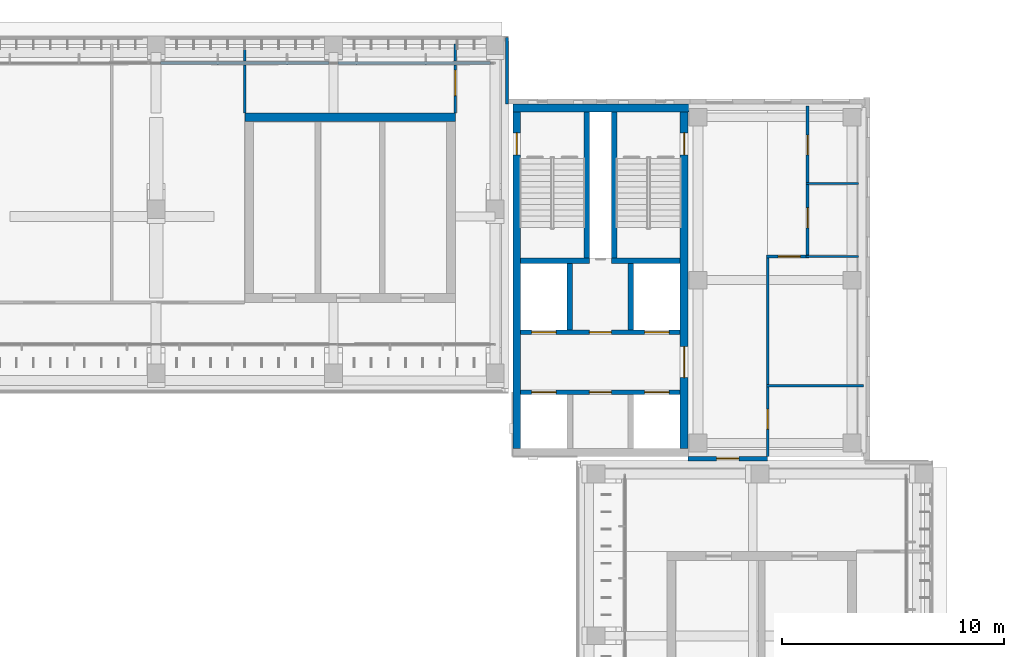
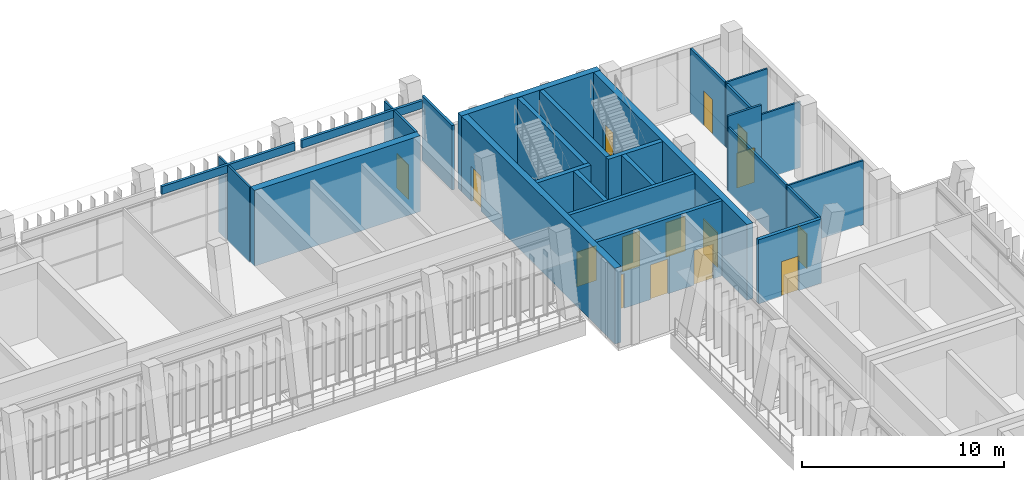
# One storey, part 67 of 89: 26 walls, 15 doors, 15 openings.
"""IFC4 building model written with IfcOpenShell, lengths in metres."""

from ifc_helpers import new_model, si_unit, direction, frame, frame_2d, origin, place, context, subcontext, project, spatial, rectangle, extrude, material, layer, layer_set, type_object, element, fill, save


model = new_model("IFC4")

# Units and contexts
model_context = context("Model", 3, precision=1e-05, world=origin(), true_north=direction((0.0, 1.0)))
body_context = subcontext(model_context, "Body", "Model", "MODEL_VIEW")
ifc_project = project(units=[si_unit("LENGTHUNIT", "METRE"), si_unit("AREAUNIT", "SQUARE_METRE"), si_unit("VOLUMEUNIT", "CUBIC_METRE"), si_unit("PLANEANGLEUNIT", "RADIAN"), si_unit("MASSUNIT", "GRAM", prefix="KILO")], contexts=[model_context])

# Site, building, storey
site_placement = place(None, origin())
site = spatial("IfcSite", under=ifc_project, at=site_placement, CompositionType="ELEMENT")
building_placement = place(site_placement, origin())
building = spatial("IfcBuilding", under=site, at=building_placement, Name="Lantern Court Media Centre", CompositionType="ELEMENT")
storey_placement = place(building_placement, frame((0.0, 0.0, 14.39990234375)))
storey = spatial("IfcBuildingStorey", under=building, at=storey_placement, Name="L03", CompositionType="ELEMENT", Elevation=14.39990234375)

# Wall, opening, door
ifc_material_1 = material(Name="Gypsum board partition")
ifc_layer_1 = layer(ifc_material_1, 0.125)
ifc_layer_set_1 = layer_set([ifc_layer_1], Name="Gypsum board partition")
wall_type_1 = type_object("IfcWallType", Name="Corridor partition 125", PredefinedType="PARTITIONING", material=ifc_layer_set_1)
wall_1_placement = place(storey_placement, frame((77.5, 111.60498046875, 0.0), z_axis=(0.0, 0.0, 1.0), x_axis=(0.0, 1.0, 0.0)))
wall_1 = element("IfcWall", 1, at=wall_1_placement, inside=storey, type_object=wall_type_1, Name="L03 partition 003", PredefinedType="PARTITIONING", context=body_context, shape_type="SweptSolid", body=[
    extrude(rectangle(XDim=2.1650390625, YDim=0.125, at=frame_2d((1.08251953125, 0.0))), origin(), (0.0, 0.0, 1.0), 4.56005859375),
])
opening_1_placement = place(wall_1_placement, frame((0.773681640625, 0.0, 0.0)))
opening_1 = element("IfcOpeningElement", 2, at=opening_1_placement, cuts=wall_1, Name="Opening L03-018", PredefinedType="OPENING", context=body_context, shape_type="SweptSolid", body=[
    extrude(rectangle(XDim=1.14990234375, YDim=2.10009765625, at=frame_2d((0.574951171875, 1.050048828125))), frame((0.0, 0.072509765625, 0.0), z_axis=(0.0, -1.0, 0.0), x_axis=(1.0, 0.0, 0.0)), (0.0, 0.0, 1.0), 0.14501953125),
])
ifc_material_2 = material(Name="Solid-core timber door leaf", Category="wood")
door_type_1 = type_object("IfcDoorType", Name="Single door 1150x2100", OperationType="NOTDEFINED", PredefinedType="DOOR", material=ifc_material_2)
door_1_placement = place(opening_1_placement, origin())
door_1 = element("IfcDoor", 3, at=door_1_placement, inside=storey, type_object=door_type_1, Name="L03 Production Office 02 door", OperationType="SINGLE_SWING_LEFT", OverallHeight=2.10009765625, OverallWidth=1.14990234375, PredefinedType="DOOR", context=body_context, shape_type="SweptSolid", body=[
    extrude(rectangle(XDim=1.14990234375, YDim=2.10009765625, at=frame_2d((0.574951171875, 1.050048828125))), frame((0.0, 0.02490234375, 0.0), z_axis=(0.0, -1.0, 0.0), x_axis=(1.0, 0.0, 0.0)), (0.0, 0.0, 1.0), 0.050048828125),
])
fill(opening_1, door_1)

# Wall
wall_2_placement = place(storey_placement, frame((77.5, 113.929931640625, 0.0), z_axis=(0.0, 0.0, 1.0), x_axis=(0.0, 1.0, 0.0)))
element("IfcWall", 4, at=wall_2_placement, inside=storey, type_object=wall_type_1, Name="L03 partition 004", PredefinedType="PARTITIONING", context=body_context, shape_type="SweptSolid", body=[
    extrude(rectangle(XDim=0.77001953125, YDim=0.125, at=frame_2d((0.385009765625, 0.0))), origin(), (0.0, 0.0, 1.0), 4.56005859375),
])

# Wall, opening, door
wall_3_placement = place(storey_placement, frame((91.60009765625, 96.10009765625, 0.0), z_axis=(0.0, 0.0, 1.0), x_axis=(0.0, 1.0, 0.0)))
wall_3 = element("IfcWall", 5, at=wall_3_placement, inside=storey, type_object=wall_type_1, Name="L03 partition 055", PredefinedType="PARTITIONING", context=body_context, shape_type="SweptSolid", body=[
    extrude(rectangle(XDim=8.957763671875, YDim=0.125, at=frame_2d((4.47900390625, 0.0))), origin(), (0.0, 0.0, 1.0), 3.880126953125),
])
opening_2_placement = place(wall_3_placement, frame((1.232666015625, 0.0, 0.0)))
opening_2 = element("IfcOpeningElement", 6, at=opening_2_placement, cuts=wall_3, Name="Opening L03-047", PredefinedType="OPENING", context=body_context, shape_type="SweptSolid", body=[
    extrude(rectangle(XDim=0.89990234375, YDim=2.10009765625, at=frame_2d((0.449951171875, 1.050048828125))), frame((0.0, 0.072509765625, 0.0), z_axis=(0.0, -1.0, 0.0), x_axis=(1.0, 0.0, 0.0)), (0.0, 0.0, 1.0), 0.14501953125),
])
door_type_2 = type_object("IfcDoorType", Name="Single door 900x2100", OperationType="NOTDEFINED", PredefinedType="DOOR", material=ifc_material_2)
door_2_placement = place(opening_2_placement, frame((0.89990234375, 0.0, 0.0), z_axis=(0.0, 0.0, 1.0), x_axis=(-1.0, 0.0, 0.0)))
door_2 = element("IfcDoor", 7, at=door_2_placement, inside=storey, type_object=door_type_2, Name="L03 Switchroom door", OperationType="SINGLE_SWING_RIGHT", OverallHeight=2.10009765625, OverallWidth=0.89990234375, PredefinedType="DOOR", context=body_context, shape_type="SweptSolid", body=[
    extrude(rectangle(XDim=0.89990234375, YDim=2.10009765625, at=frame_2d((0.449951171875, 1.050048828125))), frame((0.0, 0.02490234375, 0.0), z_axis=(0.0, -1.0, 0.0), x_axis=(1.0, 0.0, 0.0)), (0.0, 0.0, 1.0), 0.050048828125),
])
fill(opening_2, door_2)

# Wall, openings, doors
wall_4_placement = place(storey_placement, frame((93.39990234375, 105.182861328125, 0.0), z_axis=(0.0, 0.0, 1.0), x_axis=(0.0, 1.0, 0.0)))
wall_4 = element("IfcWall", 8, at=wall_4_placement, inside=storey, type_object=wall_type_1, Name="L03 partition 060", PredefinedType="PARTITIONING", context=body_context, shape_type="SweptSolid", body=[
    extrude(rectangle(XDim=6.737060546875, YDim=0.125, at=frame_2d((3.36865234375, 0.0))), origin(), (0.0, 0.0, 1.0), 3.880126953125),
])
opening_3_placement = place(wall_4_placement, frame((4.51611328125, 0.0, 0.0)))
opening_3 = element("IfcOpeningElement", 9, at=opening_3_placement, cuts=wall_4, Name="Opening L03-048", PredefinedType="OPENING", context=body_context, shape_type="SweptSolid", body=[
    extrude(rectangle(XDim=0.89990234375, YDim=2.10009765625, at=frame_2d((0.449951171875, 1.050048828125))), frame((0.0, 0.072509765625, 0.0), z_axis=(0.0, -1.0, 0.0), x_axis=(1.0, 0.0, 0.0)), (0.0, 0.0, 1.0), 0.14501953125),
])
opening_4_placement = place(wall_4_placement, frame((1.226318359375, 0.0, 0.0)))
opening_4 = element("IfcOpeningElement", 10, at=opening_4_placement, cuts=wall_4, Name="Opening L03-049", PredefinedType="OPENING", context=body_context, shape_type="SweptSolid", body=[
    extrude(rectangle(XDim=0.89990234375, YDim=2.10009765625, at=frame_2d((0.449951171875, 1.050048828125))), frame((0.0, 0.072509765625, 0.0), z_axis=(0.0, -1.0, 0.0), x_axis=(1.0, 0.0, 0.0)), (0.0, 0.0, 1.0), 0.14501953125),
])
door_3_placement = place(opening_3_placement, frame((0.89990234375, 0.0, 0.0), z_axis=(0.0, 0.0, 1.0), x_axis=(-1.0, 0.0, 0.0)))
door_3 = element("IfcDoor", 11, at=door_3_placement, inside=storey, type_object=door_type_2, Name="L03 WC Male door", OperationType="SINGLE_SWING_LEFT", OverallHeight=2.10009765625, OverallWidth=0.89990234375, PredefinedType="DOOR", context=body_context, shape_type="SweptSolid", body=[
    extrude(rectangle(XDim=0.89990234375, YDim=2.10009765625, at=frame_2d((0.449951171875, 1.050048828125))), frame((0.0, 0.02490234375, 0.0), z_axis=(0.0, -1.0, 0.0), x_axis=(1.0, 0.0, 0.0)), (0.0, 0.0, 1.0), 0.050048828125),
])
fill(opening_3, door_3)
door_4_placement = place(opening_4_placement, frame((0.89990234375, 0.0, 0.0), z_axis=(0.0, 0.0, 1.0), x_axis=(-1.0, 0.0, 0.0)))
door_4 = element("IfcDoor", 12, at=door_4_placement, inside=storey, type_object=door_type_2, Name="L03 WC Female door", OperationType="SINGLE_SWING_RIGHT", OverallHeight=2.10009765625, OverallWidth=0.89990234375, PredefinedType="DOOR", context=body_context, shape_type="SweptSolid", body=[
    extrude(rectangle(XDim=0.89990234375, YDim=2.10009765625, at=frame_2d((0.449951171875, 1.050048828125))), frame((0.0, 0.02490234375, 0.0), z_axis=(0.0, -1.0, 0.0), x_axis=(1.0, 0.0, 0.0)), (0.0, 0.0, 1.0), 0.050048828125),
])
fill(opening_4, door_4)

# Wall, opening, door
wall_5_placement = place(storey_placement, frame((91.53759765625, 105.1201171875, 0.0), z_axis=(0.0, 0.0, 1.0), x_axis=(1.0, 0.0, 0.0)))
wall_5 = element("IfcWall", 13, at=wall_5_placement, inside=storey, type_object=wall_type_1, Name="L03 partition 067", PredefinedType="PARTITIONING", context=body_context, shape_type="SweptSolid", body=[
    extrude(rectangle(XDim=1.9248046875, YDim=0.125, at=frame_2d((0.96240234375, 0.0))), origin(), (0.0, 0.0, 1.0), 4.56005859375),
])
opening_5_placement = place(wall_5_placement, frame((0.53515625, 0.0, 0.0)))
opening_5 = element("IfcOpeningElement", 14, at=opening_5_placement, cuts=wall_5, Name="Opening L03-046", PredefinedType="OPENING", context=body_context, shape_type="SweptSolid", body=[
    extrude(rectangle(XDim=1.0, YDim=2.10009765625, at=frame_2d((0.5, 1.050048828125))), frame((0.0, 0.072509765625, 0.0), z_axis=(0.0, -1.0, 0.0), x_axis=(1.0, 0.0, 0.0)), (0.0, 0.0, 1.0), 0.14501953125),
])
door_type_3 = type_object("IfcDoorType", Name="Single door 1000x2100", OperationType="NOTDEFINED", PredefinedType="DOOR", material=ifc_material_2)
door_5_placement = place(opening_5_placement, frame((1.0, 0.0, 0.0), z_axis=(0.0, 0.0, 1.0), x_axis=(-1.0, 0.0, 0.0)))
door_5 = element("IfcDoor", 15, at=door_5_placement, inside=storey, type_object=door_type_3, Name="L03 Broadcast Programming Office 04 door", OperationType="SINGLE_SWING_LEFT", OverallHeight=2.10009765625, OverallWidth=1.0, PredefinedType="DOOR", context=body_context, shape_type="SweptSolid", body=[
    extrude(rectangle(XDim=1.0, YDim=2.10009765625, at=frame_2d((0.5, 1.050048828125))), frame((0.0, 0.02490234375, 0.0), z_axis=(0.0, -1.0, 0.0), x_axis=(1.0, 0.0, 0.0)), (0.0, 0.0, 1.0), 0.050048828125),
])
fill(opening_5, door_5)

# Wall, openings, doors
ifc_material_3 = material(Name="Concrete C40", Category="concrete")
ifc_layer_2 = layer(ifc_material_3, 0.199951171875)
ifc_layer_set_2 = layer_set([ifc_layer_2], Name="Concrete C40")
wall_type_2 = type_object("IfcWallType", Name="Fire lobby wall 200", PredefinedType="SOLIDWALL", material=ifc_layer_set_2)
wall_6_placement = place(storey_placement, frame((87.64990234375, 101.699951171875, 0.0), z_axis=(0.0, 0.0, 1.0), x_axis=(-1.0, 0.0, 0.0)))
wall_6 = element("IfcWall", 16, at=wall_6_placement, inside=storey, type_object=wall_type_2, Name="L03 NE FW1", PredefinedType="SOLIDWALL", context=body_context, shape_type="SweptSolid", body=[
    extrude(rectangle(XDim=7.199951171875, YDim=0.199951171875, at=frame_2d((3.60009765625, 0.0))), origin(), (0.0, 0.0, 1.0), 4.550048828125),
])
opening_6_placement = place(wall_6_placement, frame((0.5, 0.0, 0.0)))
opening_6 = element("IfcOpeningElement", 17, at=opening_6_placement, cuts=wall_6, Name="Opening LD-NEFF-L03", PredefinedType="OPENING", context=body_context, shape_type="SweptSolid", body=[
    extrude(rectangle(XDim=1.10009765625, YDim=2.10009765625, at=frame_2d((0.550048828125, 1.050048828125))), frame((0.0, 0.10986328125, 0.0), z_axis=(0.0, -1.0, 0.0), x_axis=(1.0, 0.0, 0.0)), (0.0, 0.0, 1.0), 0.219970703125),
])
opening_7_placement = place(wall_6_placement, frame((5.60009765625, 0.0, 0.0)))
opening_7 = element("IfcOpeningElement", 18, at=opening_7_placement, cuts=wall_6, Name="Opening LD-NEP1-L03", PredefinedType="OPENING", context=body_context, shape_type="SweptSolid", body=[
    extrude(rectangle(XDim=1.10009765625, YDim=2.10009765625, at=frame_2d((0.550048828125, 1.050048828125))), frame((0.0, 0.10986328125, 0.0), z_axis=(0.0, -1.0, 0.0), x_axis=(1.0, 0.0, 0.0)), (0.0, 0.0, 1.0), 0.219970703125),
])
opening_8_placement = place(wall_6_placement, frame((3.10009765625, 0.0, 0.0)))
opening_8 = element("IfcOpeningElement", 19, at=opening_8_placement, cuts=wall_6, Name="Opening NE-L03-03", PredefinedType="OPENING", context=body_context, shape_type="SweptSolid", body=[
    extrude(rectangle(XDim=1.0, YDim=2.10009765625, at=frame_2d((0.5, 1.050048828125))), frame((0.0, 0.10986328125, 0.0), z_axis=(0.0, -1.0, 0.0), x_axis=(1.0, 0.0, 0.0)), (0.0, 0.0, 1.0), 0.219970703125),
])
ifc_material_4 = material(Name="Steel door leaf", Category="steel")
door_type_4 = type_object("IfcDoorType", Name="Lift landing door 1100x2100", OperationType="DOUBLE_DOOR_SLIDING", PredefinedType="DOOR", material=ifc_material_4)
door_6_placement = place(opening_6_placement, origin())
door_6 = element("IfcDoor", 20, at=door_6_placement, inside=storey, type_object=door_type_4, Name="L03 NE lift FF landing door", OperationType="DOUBLE_DOOR_SLIDING", OverallHeight=2.10009765625, OverallWidth=1.10009765625, PredefinedType="DOOR", context=body_context, shape_type="SweptSolid", body=[
    extrude(rectangle(XDim=1.10009765625, YDim=2.10009765625, at=frame_2d((0.550048828125, 1.050048828125))), frame((0.0, 0.02490234375, 0.0), z_axis=(0.0, -1.0, 0.0), x_axis=(1.0, 0.0, 0.0)), (0.0, 0.0, 1.0), 0.050048828125),
])
fill(opening_6, door_6)
door_7_placement = place(opening_7_placement, origin())
door_7 = element("IfcDoor", 21, at=door_7_placement, inside=storey, type_object=door_type_4, Name="L03 NE lift P1 landing door", OperationType="DOUBLE_DOOR_SLIDING", OverallHeight=2.10009765625, OverallWidth=1.10009765625, PredefinedType="DOOR", context=body_context, shape_type="SweptSolid", body=[
    extrude(rectangle(XDim=1.10009765625, YDim=2.10009765625, at=frame_2d((0.550048828125, 1.050048828125))), frame((0.0, 0.02490234375, 0.0), z_axis=(0.0, -1.0, 0.0), x_axis=(1.0, 0.0, 0.0)), (0.0, 0.0, 1.0), 0.050048828125),
])
fill(opening_7, door_7)
door_type_5 = type_object("IfcDoorType", Name="Service door 1000x2100", OperationType="NOTDEFINED", PredefinedType="DOOR", material=ifc_material_4)
door_8_placement = place(opening_8_placement, origin())
door_8 = element("IfcDoor", 22, at=door_8_placement, inside=storey, type_object=door_type_5, Name="L03 NE services riser door", OperationType="SINGLE_SWING_LEFT", OverallHeight=2.10009765625, OverallWidth=1.0, PredefinedType="DOOR", context=body_context, shape_type="SweptSolid", body=[
    extrude(rectangle(XDim=1.0, YDim=2.10009765625, at=frame_2d((0.5, 1.050048828125))), frame((0.0, 0.02490234375, 0.0), z_axis=(0.0, -1.0, 0.0), x_axis=(1.0, 0.0, 0.0)), (0.0, 0.0, 1.0), 0.050048828125),
])
fill(opening_8, door_8)

wall_7_placement = place(storey_placement, frame((87.64990234375, 99.0, 0.0), z_axis=(0.0, 0.0, 1.0), x_axis=(-1.0, 0.0, 0.0)))
wall_7 = element("IfcWall", 23, at=wall_7_placement, inside=storey, type_object=wall_type_2, Name="L03 NE FW2", PredefinedType="SOLIDWALL", context=body_context, shape_type="SweptSolid", body=[
    extrude(rectangle(XDim=7.199951171875, YDim=0.199951171875, at=frame_2d((3.60009765625, 0.0))), origin(), (0.0, 0.0, 1.0), 4.550048828125),
])
opening_9_placement = place(wall_7_placement, frame((0.5, 0.0, 0.0)))
opening_9 = element("IfcOpeningElement", 24, at=opening_9_placement, cuts=wall_7, Name="Opening LD-NEP2-L03", PredefinedType="OPENING", context=body_context, shape_type="SweptSolid", body=[
    extrude(rectangle(XDim=1.10009765625, YDim=2.10009765625, at=frame_2d((0.550048828125, 1.050048828125))), frame((0.0, 0.10986328125, 0.0), z_axis=(0.0, -1.0, 0.0), x_axis=(1.0, 0.0, 0.0)), (0.0, 0.0, 1.0), 0.219970703125),
])
opening_10_placement = place(wall_7_placement, frame((5.60009765625, 0.0, 0.0)))
opening_10 = element("IfcOpeningElement", 25, at=opening_10_placement, cuts=wall_7, Name="Opening LD-NEP3-L03", PredefinedType="OPENING", context=body_context, shape_type="SweptSolid", body=[
    extrude(rectangle(XDim=1.10009765625, YDim=2.10009765625, at=frame_2d((0.550048828125, 1.050048828125))), frame((0.0, 0.10986328125, 0.0), z_axis=(0.0, -1.0, 0.0), x_axis=(1.0, 0.0, 0.0)), (0.0, 0.0, 1.0), 0.219970703125),
])
opening_11_placement = place(wall_7_placement, frame((3.10009765625, 0.0, 0.0)))
opening_11 = element("IfcOpeningElement", 26, at=opening_11_placement, cuts=wall_7, Name="Opening NE-L03-04", PredefinedType="OPENING", context=body_context, shape_type="SweptSolid", body=[
    extrude(rectangle(XDim=1.0, YDim=2.10009765625, at=frame_2d((0.5, 1.050048828125))), frame((0.0, 0.10986328125, 0.0), z_axis=(0.0, -1.0, 0.0), x_axis=(1.0, 0.0, 0.0)), (0.0, 0.0, 1.0), 0.219970703125),
])
door_9_placement = place(opening_9_placement, frame((1.10009765625, 0.0, 0.0), z_axis=(0.0, 0.0, 1.0), x_axis=(-1.0, 0.0, 0.0)))
door_9 = element("IfcDoor", 27, at=door_9_placement, inside=storey, type_object=door_type_4, Name="L03 NE lift P2 landing door", OperationType="DOUBLE_DOOR_SLIDING", OverallHeight=2.10009765625, OverallWidth=1.10009765625, PredefinedType="DOOR", context=body_context, shape_type="SweptSolid", body=[
    extrude(rectangle(XDim=1.10009765625, YDim=2.10009765625, at=frame_2d((0.550048828125, 1.050048828125))), frame((0.0, 0.02490234375, 0.0), z_axis=(0.0, -1.0, 0.0), x_axis=(1.0, 0.0, 0.0)), (0.0, 0.0, 1.0), 0.050048828125),
])
fill(opening_9, door_9)
door_10_placement = place(opening_10_placement, frame((1.10009765625, 0.0, 0.0), z_axis=(0.0, 0.0, 1.0), x_axis=(-1.0, 0.0, 0.0)))
door_10 = element("IfcDoor", 28, at=door_10_placement, inside=storey, type_object=door_type_4, Name="L03 NE lift P3 landing door", OperationType="DOUBLE_DOOR_SLIDING", OverallHeight=2.10009765625, OverallWidth=1.10009765625, PredefinedType="DOOR", context=body_context, shape_type="SweptSolid", body=[
    extrude(rectangle(XDim=1.10009765625, YDim=2.10009765625, at=frame_2d((0.550048828125, 1.050048828125))), frame((0.0, 0.02490234375, 0.0), z_axis=(0.0, -1.0, 0.0), x_axis=(1.0, 0.0, 0.0)), (0.0, 0.0, 1.0), 0.050048828125),
])
fill(opening_10, door_10)
door_11_placement = place(opening_11_placement, frame((1.0, 0.0, 0.0), z_axis=(0.0, 0.0, 1.0), x_axis=(-1.0, 0.0, 0.0)))
door_11 = element("IfcDoor", 29, at=door_11_placement, inside=storey, type_object=door_type_5, Name="L03 NE accessible WC door", OperationType="SINGLE_SWING_RIGHT", OverallHeight=2.10009765625, OverallWidth=1.0, PredefinedType="DOOR", context=body_context, shape_type="SweptSolid", body=[
    extrude(rectangle(XDim=1.0, YDim=2.10009765625, at=frame_2d((0.5, 1.050048828125))), frame((0.0, 0.02490234375, 0.0), z_axis=(0.0, -1.0, 0.0), x_axis=(1.0, 0.0, 0.0)), (0.0, 0.0, 1.0), 0.050048828125),
])
fill(opening_11, door_11)

# Walls
ifc_material_5 = material(Name="Insulated rendered blockwork", Category="masonry")
ifc_layer_3 = layer(ifc_material_5, 0.14990234375)
ifc_layer_set_3 = layer_set([ifc_layer_3], Name="Insulated rendered blockwork")
wall_type_3 = type_object("IfcWallType", Name="Head infill wall 150", PredefinedType="SOLIDWALL", material=ifc_layer_set_3)
wall_8_placement = place(storey_placement, frame((64.199951171875, 113.85009765625, 4.10009765625), z_axis=(0.0, 0.0, 1.0), x_axis=(1.0, 0.0, 0.0)))
element("IfcWall", 30, at=wall_8_placement, inside=storey, type_object=wall_type_3, Name="Head infill wall N outer L03", PredefinedType="SOLIDWALL", context=body_context, shape_type="SweptSolid", body=[
    extrude(rectangle(XDim=7.60009765625, YDim=0.14990234375, at=frame_2d((3.800048828125, 0.0))), origin(), (0.0, 0.0, 1.0), 0.47998046875),
])
wall_9_placement = place(storey_placement, frame((72.199951171875, 113.85009765625, 4.10009765625), z_axis=(0.0, 0.0, 1.0), x_axis=(1.0, 0.0, 0.0)))
element("IfcWall", 31, at=wall_9_placement, inside=storey, type_object=wall_type_3, Name="Head infill wall N outer L03", PredefinedType="SOLIDWALL", context=body_context, shape_type="SweptSolid", body=[
    extrude(rectangle(XDim=6.900146484375, YDim=0.14990234375, at=frame_2d((3.4501953125, 0.0))), origin(), (0.0, 0.0, 1.0), 0.47998046875),
])
ifc_material_6 = material(Name="Honed limestone cladding on blockwork", Category="masonry")
ifc_layer_4 = layer(ifc_material_6, 0.139892578125)
ifc_layer_set_4 = layer_set([ifc_layer_4], Name="Honed limestone cladding on blockwork")
wall_type_4 = type_object("IfcWallType", Name="Limestone closure wall 140", PredefinedType="SOLIDWALL", material=ifc_layer_set_4)
wall_10_placement = place(storey_placement, frame((79.830078125, 112.0, 0.0), z_axis=(0.0, 0.0, 1.0), x_axis=(0.0, 1.0, 0.0)))
element("IfcWall", 32, at=wall_10_placement, inside=storey, type_object=wall_type_4, Name="Limestone closure wall N-NE L03", PredefinedType="SOLIDWALL", context=body_context, shape_type="SweptSolid", body=[
    extrude(rectangle(XDim=3.0, YDim=0.139892578125, at=frame_2d((1.5, 0.0))), origin(), (0.0, 0.0, 1.0), 3.900146484375),
])

# Wall, opening, door
ifc_material_7 = material(Name="Fire-rated gypsum board")
ifc_layer_5 = layer(ifc_material_7, 0.199951171875)
ifc_layer_set_5 = layer_set([ifc_layer_5], Name="Fire-rated gypsum board")
wall_type_5 = type_object("IfcWallType", Name="Movement-joint compartment wall 200", PredefinedType="PARTITIONING", material=ifc_layer_set_5)
wall_11_placement = place(storey_placement, frame((88.0, 96.0, 0.0), z_axis=(0.0, 0.0, 1.0), x_axis=(1.0, 0.0, 0.0)))
wall_11 = element("IfcWall", 33, at=wall_11_placement, inside=storey, type_object=wall_type_5, Name="L03 movement-joint wall 14", PredefinedType="PARTITIONING", context=body_context, shape_type="SweptSolid", body=[
    extrude(rectangle(XDim=3.60009765625, YDim=0.199951171875, at=frame_2d((1.800048828125, 0.0))), origin(), (0.0, 0.0, 1.0), 3.880126953125),
])
opening_12_placement = place(wall_11_placement, frame((1.300048828125, 0.0, 0.0)))
opening_12 = element("IfcOpeningElement", 34, at=opening_12_placement, cuts=wall_11, Name="Opening L03-J14", PredefinedType="OPENING", context=body_context, shape_type="SweptSolid", body=[
    extrude(rectangle(XDim=1.0, YDim=2.10009765625, at=frame_2d((0.5, 1.050048828125))), frame((0.0, 0.10986328125, 0.0), z_axis=(0.0, -1.0, 0.0), x_axis=(1.0, 0.0, 0.0)), (0.0, 0.0, 1.0), 0.219970703125),
])
door_type_6 = type_object("IfcDoorType", Name="Movement-joint fire door 1000x2100", OperationType="NOTDEFINED", PredefinedType="DOOR", material=ifc_material_4)
door_12_placement = place(opening_12_placement, origin())
door_12 = element("IfcDoor", 35, at=door_12_placement, inside=storey, type_object=door_type_6, Name="L03 bar end lobby door 14", OperationType="SINGLE_SWING_LEFT", OverallHeight=2.10009765625, OverallWidth=1.0, PredefinedType="DOOR", context=body_context, shape_type="SweptSolid", body=[
    extrude(rectangle(XDim=1.0, YDim=2.10009765625, at=frame_2d((0.5, 1.050048828125))), frame((0.0, 0.02490234375, 0.0), z_axis=(0.0, -1.0, 0.0), x_axis=(1.0, 0.0, 0.0)), (0.0, 0.0, 1.0), 0.050048828125),
])
fill(opening_12, door_12)

# Walls
ifc_layer_6 = layer(ifc_material_1, 0.10009765625)
ifc_layer_set_6 = layer_set([ifc_layer_6], Name="Gypsum board partition")
wall_type_6 = type_object("IfcWallType", Name="Partition 100", PredefinedType="PARTITIONING", material=ifc_layer_set_6)
wall_12_placement = place(storey_placement, frame((68.0, 111.60498046875, 0.0), z_axis=(0.0, 0.0, 1.0), x_axis=(0.0, 1.0, 0.0)))
element("IfcWall", 36, at=wall_12_placement, inside=storey, type_object=wall_type_6, Name="L03 partition 022", PredefinedType="PARTITIONING", context=body_context, shape_type="SweptSolid", body=[
    extrude(rectangle(XDim=2.1650390625, YDim=0.10009765625, at=frame_2d((1.08251953125, 0.0))), origin(), (0.0, 0.0, 1.0), 4.56005859375),
])
wall_13_placement = place(storey_placement, frame((68.0, 113.929931640625, 0.0), z_axis=(0.0, 0.0, 1.0), x_axis=(0.0, 1.0, 0.0)))
element("IfcWall", 37, at=wall_13_placement, inside=storey, type_object=wall_type_6, Name="L03 partition 023", PredefinedType="PARTITIONING", context=body_context, shape_type="SweptSolid", body=[
    extrude(rectangle(XDim=0.77001953125, YDim=0.10009765625, at=frame_2d((0.385009765625, 0.0))), origin(), (0.0, 0.0, 1.0), 4.56005859375),
])
wall_14_placement = place(storey_placement, frame((91.53759765625, 99.283935546875, 0.0), z_axis=(0.0, 0.0, 1.0), x_axis=(1.0, 0.0, 0.0)))
element("IfcWall", 38, at=wall_14_placement, inside=storey, type_object=wall_type_6, Name="L03 partition 066", PredefinedType="PARTITIONING", context=body_context, shape_type="SweptSolid", body=[
    extrude(rectangle(XDim=4.38232421875, YDim=0.10009765625, at=frame_2d((2.191162109375, 0.0))), origin(), (0.0, 0.0, 1.0), 3.880126953125),
])
for number, where, z_axis, x_axis, name in (
    (39, (93.33740234375, 105.1201171875, 0.0), (0.0, 0.0, 1.0), (1.0, 0.0, 0.0), "L03 partition 068"),
    (40, (93.33740234375, 108.409912109375, 0.0), (0.0, 0.0, 1.0), (1.0, 0.0, 0.0), "L03 partition 069"),
):
    element("IfcWall", number, at=place(storey_placement, frame(where, z_axis=z_axis, x_axis=x_axis)), inside=storey, type_object=wall_type_6, Name=name, PredefinedType="PARTITIONING", context=body_context, shape_type="SweptSolid", body=[
        extrude(rectangle(XDim=2.362548828125, YDim=0.10009765625, at=frame_2d((1.18115234375, 0.0))), origin(), (0.0, 0.0, 1.0), 3.97998046875),
    ])
ifc_layer_7 = layer(ifc_material_3, 0.35009765625)
ifc_layer_set_7 = layer_set([ifc_layer_7], Name="Concrete C40")
wall_type_7 = type_object("IfcWallType", Name="RC CORE WALL 350", PredefinedType="SHEAR", material=ifc_layer_set_7)
wall_15_placement = place(storey_placement, frame((80.10009765625, 111.824951171875, 0.0), z_axis=(0.0, 0.0, 1.0), x_axis=(1.0, 0.0, 0.0)))
element("IfcWall", 41, at=wall_15_placement, inside=storey, type_object=wall_type_7, Name="WC-NE-L03-N", PredefinedType="SHEAR", context=body_context, shape_type="SweptSolid", body=[
    extrude(rectangle(XDim=7.949951171875, YDim=0.35009765625, at=frame_2d((3.97509765625, 0.0))), origin(), (0.0, 0.0, 1.0), 4.580078125),
])

# Wall, opening, door
wall_16_placement = place(storey_placement, frame((80.27490234375, 96.449951171875, 0.0), z_axis=(0.0, 0.0, 1.0), x_axis=(0.0, 1.0, 0.0)))
wall_16 = element("IfcWall", 42, at=wall_16_placement, inside=storey, type_object=wall_type_7, Name="WC-NE-L03-W", PredefinedType="SHEAR", context=body_context, shape_type="SweptSolid", body=[
    extrude(rectangle(XDim=15.199951171875, YDim=0.35009765625, at=frame_2d((7.60009765625, 0.0))), origin(), (0.0, 0.0, 1.0), 4.580078125),
])
opening_13_placement = place(wall_16_placement, frame((13.25, 0.0, 0.0)))
opening_13 = element("IfcOpeningElement", 43, at=opening_13_placement, cuts=wall_16, Name="Opening NE-L03-02", PredefinedType="OPENING", context=body_context, shape_type="SweptSolid", body=[
    extrude(rectangle(XDim=1.0, YDim=2.10009765625, at=frame_2d((0.5, 1.050048828125))), frame((0.0, 0.18505859375, 0.0), z_axis=(0.0, -1.0, 0.0), x_axis=(1.0, 0.0, 0.0)), (0.0, 0.0, 1.0), 0.3701171875),
])
door_type_7 = type_object("IfcDoorType", Name="Stair door 1000x2100", OperationType="NOTDEFINED", PredefinedType="DOOR", material=ifc_material_4)
door_13_placement = place(opening_13_placement, origin())
door_13 = element("IfcDoor", 44, at=door_13_placement, inside=storey, type_object=door_type_7, Name="L03 NE stair B door", OperationType="SINGLE_SWING_RIGHT", OverallHeight=2.10009765625, OverallWidth=1.0, PredefinedType="DOOR", context=body_context, shape_type="SweptSolid", body=[
    extrude(rectangle(XDim=1.0, YDim=2.10009765625, at=frame_2d((0.5, 1.050048828125))), frame((0.0, 0.02490234375, 0.0), z_axis=(0.0, -1.0, 0.0), x_axis=(1.0, 0.0, 0.0)), (0.0, 0.0, 1.0), 0.050048828125),
])
fill(opening_13, door_13)

# Wall, openings, doors
wall_17_placement = place(storey_placement, frame((87.824951171875, 96.449951171875, 0.0), z_axis=(0.0, 0.0, 1.0), x_axis=(0.0, 1.0, 0.0)))
wall_17 = element("IfcWall", 45, at=wall_17_placement, inside=storey, type_object=wall_type_7, Name="WC-NE-L03-E", PredefinedType="SHEAR", context=body_context, shape_type="SweptSolid", body=[
    extrude(rectangle(XDim=15.199951171875, YDim=0.35009765625, at=frame_2d((7.60009765625, 0.0))), origin(), (0.0, 0.0, 1.0), 4.580078125),
])
opening_14_placement = place(wall_17_placement, frame((13.25, 0.0, 0.0)))
opening_14 = element("IfcOpeningElement", 46, at=opening_14_placement, cuts=wall_17, Name="Opening NE-L03-01", PredefinedType="OPENING", context=body_context, shape_type="SweptSolid", body=[
    extrude(rectangle(XDim=1.0, YDim=2.10009765625, at=frame_2d((0.5, 1.050048828125))), frame((0.0, 0.18505859375, 0.0), z_axis=(0.0, -1.0, 0.0), x_axis=(1.0, 0.0, 0.0)), (0.0, 0.0, 1.0), 0.3701171875),
])
opening_15_placement = place(wall_17_placement, frame((3.199951171875, 0.0, 0.0)))
opening_15 = element("IfcOpeningElement", 47, at=opening_15_placement, cuts=wall_17, Name="Opening NE-L03-05", PredefinedType="OPENING", context=body_context, shape_type="SweptSolid", body=[
    extrude(rectangle(XDim=1.39990234375, YDim=2.10009765625, at=frame_2d((0.699951171875, 1.050048828125))), frame((0.0, 0.18505859375, 0.0), z_axis=(0.0, -1.0, 0.0), x_axis=(1.0, 0.0, 0.0)), (0.0, 0.0, 1.0), 0.3701171875),
])
door_type_8 = type_object("IfcDoorType", Name="Lift lobby double door 1400x2100", OperationType="NOTDEFINED", PredefinedType="DOOR", material=ifc_material_4)
door_14_placement = place(opening_15_placement, frame((1.39990234375, 0.0, 0.0), z_axis=(0.0, 0.0, 1.0), x_axis=(-1.0, 0.0, 0.0)))
door_14 = element("IfcDoor", 48, at=door_14_placement, inside=storey, type_object=door_type_8, Name="L03 NE lift lobby west door", OperationType="SINGLE_SWING_LEFT", OverallHeight=2.10009765625, OverallWidth=1.39990234375, PredefinedType="DOOR", context=body_context, shape_type="SweptSolid", body=[
    extrude(rectangle(XDim=1.39990234375, YDim=2.10009765625, at=frame_2d((0.699951171875, 1.050048828125))), frame((0.0, 0.02490234375, 0.0), z_axis=(0.0, -1.0, 0.0), x_axis=(1.0, 0.0, 0.0)), (0.0, 0.0, 1.0), 0.050048828125),
])
fill(opening_15, door_14)
door_15_placement = place(opening_14_placement, frame((1.0, 0.0, 0.0), z_axis=(0.0, 0.0, 1.0), x_axis=(-1.0, 0.0, 0.0)))
door_15 = element("IfcDoor", 49, at=door_15_placement, inside=storey, type_object=door_type_7, Name="L03 NE stair A door", OperationType="SINGLE_SWING_LEFT", OverallHeight=2.10009765625, OverallWidth=1.0, PredefinedType="DOOR", context=body_context, shape_type="SweptSolid", body=[
    extrude(rectangle(XDim=1.0, YDim=2.10009765625, at=frame_2d((0.5, 1.050048828125))), frame((0.0, 0.02490234375, 0.0), z_axis=(0.0, -1.0, 0.0), x_axis=(1.0, 0.0, 0.0)), (0.0, 0.0, 1.0), 0.050048828125),
])
fill(opening_14, door_15)

# Walls
ifc_layer_8 = layer(ifc_material_3, 0.39990234375)
ifc_layer_set_8 = layer_set([ifc_layer_8], Name="Concrete C40")
wall_type_8 = type_object("IfcWallType", Name="RC SHEAR WALL 400", PredefinedType="SHEAR", material=ifc_layer_set_8)
wall_18_placement = place(storey_placement, frame((68.0, 111.39990234375, 0.0), z_axis=(0.0, 0.0, 1.0), x_axis=(1.0, 0.0, 0.0)))
element("IfcWall", 50, at=wall_18_placement, inside=storey, type_object=wall_type_8, Name="WB-N-EDB-L03-N", PredefinedType="SHEAR", context=body_context, shape_type="SweptSolid", body=[
    extrude(rectangle(XDim=9.5, YDim=0.39990234375, at=frame_2d((4.75, 0.0))), origin(), (0.0, 0.0, 1.0), 4.580078125),
])
ifc_layer_9 = layer(ifc_material_3, 0.25)
ifc_layer_set_9 = layer_set([ifc_layer_9], Name="Concrete C40")
wall_type_9 = type_object("IfcWallType", Name="RC lift shaft wall 250", PredefinedType="SOLIDWALL", material=ifc_layer_set_9)
for number, where, z_axis, x_axis, name in (
    (51, (85.425048828125, 104.800048828125, 0.0), (0.0, 0.0, 1.0), (0.0, -1.0, 0.0), "L03 NE L1a"),
    (52, (82.675048828125, 104.800048828125, 0.0), (0.0, 0.0, 1.0), (0.0, -1.0, 0.0), "L03 NE L2a"),
):
    element("IfcWall", number, at=place(storey_placement, frame(where, z_axis=z_axis, x_axis=x_axis)), inside=storey, type_object=wall_type_9, Name=name, PredefinedType="SOLIDWALL", context=body_context, shape_type="SweptSolid", body=[
        extrude(rectangle(XDim=3.0, YDim=0.25, at=frame_2d((1.5, 0.0))), origin(), (0.0, 0.0, 1.0), 4.550048828125),
    ])
ifc_layer_10 = layer(ifc_material_3, 0.25)
ifc_layer_set_10 = layer_set([ifc_layer_10], Name="Concrete C40")
wall_type_10 = type_object("IfcWallType", Name="RC stair shaft wall 250", PredefinedType="SOLIDWALL", material=ifc_layer_set_10)
for number, where, z_axis, x_axis, name in (
    (53, (84.675048828125, 111.64990234375, 0.0), (0.0, 0.0, 1.0), (0.0, -1.0, 0.0), "L03 NE SA"),
    (54, (83.425048828125, 111.64990234375, 0.0), (0.0, 0.0, 1.0), (0.0, -1.0, 0.0), "L03 NE SB"),
):
    element("IfcWall", number, at=place(storey_placement, frame(where, z_axis=z_axis, x_axis=x_axis)), inside=storey, type_object=wall_type_10, Name=name, PredefinedType="SOLIDWALL", context=body_context, shape_type="SweptSolid", body=[
        extrude(rectangle(XDim=6.599853515625, YDim=0.25, at=frame_2d((3.2998046875, 0.0))), origin(), (0.0, 0.0, 1.0), 4.550048828125),
    ])
wall_19_placement = place(storey_placement, frame((87.64990234375, 104.925048828125, 0.0), z_axis=(0.0, 0.0, 1.0), x_axis=(-1.0, 0.0, 0.0)))
element("IfcWall", 55, at=wall_19_placement, inside=storey, type_object=wall_type_10, Name="L03 NE SN1", PredefinedType="SOLIDWALL", context=body_context, shape_type="SweptSolid", body=[
    extrude(rectangle(XDim=3.099853515625, YDim=0.25, at=frame_2d((1.5498046875, 0.0))), origin(), (0.0, 0.0, 1.0), 4.550048828125),
])
wall_20_placement = place(storey_placement, frame((83.550048828125, 104.925048828125, 0.0), z_axis=(0.0, 0.0, 1.0), x_axis=(-1.0, 0.0, 0.0)))
element("IfcWall", 56, at=wall_20_placement, inside=storey, type_object=wall_type_10, Name="L03 NE SN2", PredefinedType="SOLIDWALL", context=body_context, shape_type="SweptSolid", body=[
    extrude(rectangle(XDim=3.10009765625, YDim=0.25, at=frame_2d((1.550048828125, 0.0))), origin(), (0.0, 0.0, 1.0), 4.550048828125),
])

save(model, "model.ifc")
